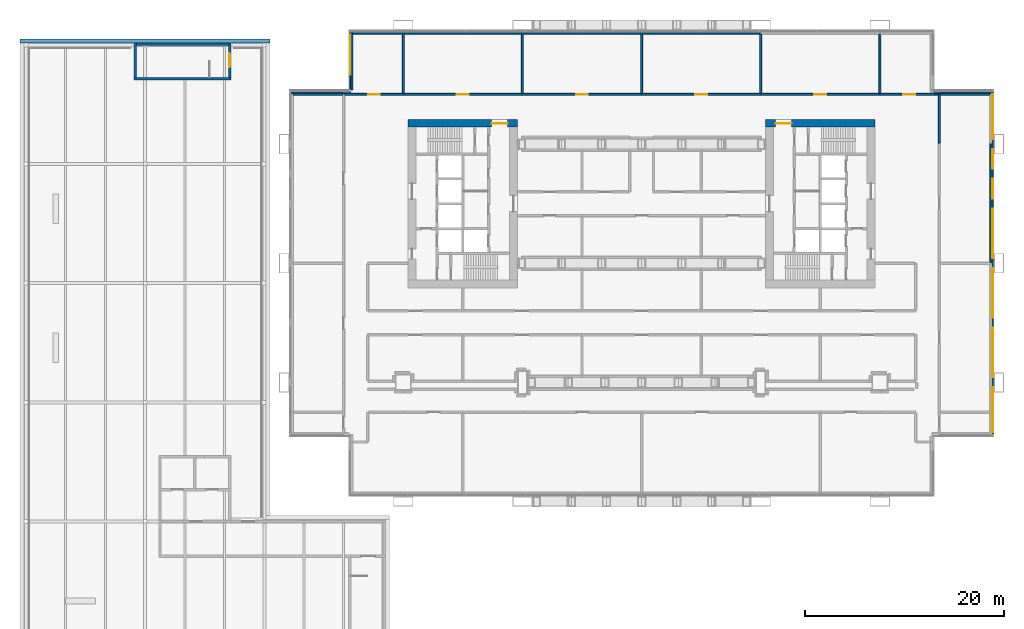
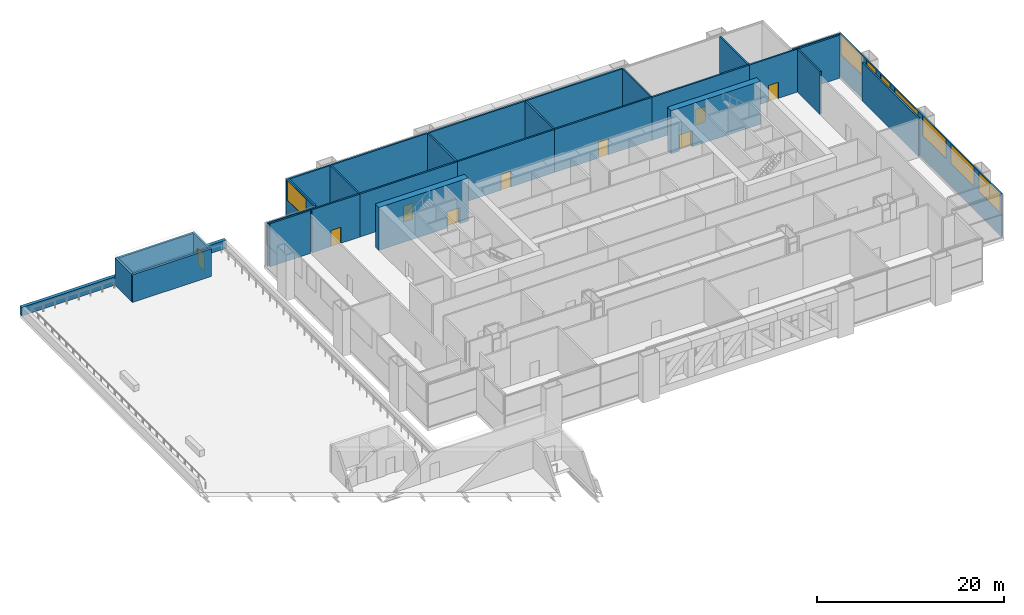
# One storey, part 25 of 27: 31 walls, 9 doors, 8 windows, 17 openings.
"""IFC4 building model written with IfcOpenShell, lengths in metres."""

from ifc_helpers import new_model, si_unit, direction, frame, frame_2d, origin, place, context, subcontext, project, spatial, rectangle, extrude, material, layer, layer_set, type_object, element, fill, save


model = new_model("IFC4")

# Units and contexts
model_context = context("Model", 3, precision=1e-05, world=origin(), true_north=direction((0.0, 1.0)))
body_context = subcontext(model_context, "Body", "Model", "MODEL_VIEW")
ifc_project = project(units=[si_unit("LENGTHUNIT", "METRE"), si_unit("AREAUNIT", "SQUARE_METRE"), si_unit("VOLUMEUNIT", "CUBIC_METRE"), si_unit("PLANEANGLEUNIT", "RADIAN"), si_unit("MASSUNIT", "GRAM", prefix="KILO")], contexts=[model_context])

# Site, building, storey
site_placement = place(None, origin())
site = spatial("IfcSite", under=ifc_project, at=site_placement, CompositionType="ELEMENT")
building_placement = place(site_placement, origin())
building = spatial("IfcBuilding", under=site, at=building_placement, Name="Kitamizu Gate Tower and Museum", CompositionType="ELEMENT")
storey_placement = place(building_placement, frame((0.0, 0.0, 24.0)))
storey = spatial("IfcBuildingStorey", under=building, at=storey_placement, Name="L04", CompositionType="ELEMENT", Elevation=24.0)

# Wall, opening, door
ifc_material_1 = material(Name="Concrete Fc60", Category="concrete")
ifc_layer_1 = layer(ifc_material_1, 0.800048828125)
ifc_layer_set_1 = layer_set([ifc_layer_1], Name="Concrete Fc60")
wall_type_1 = type_object("IfcWallType", Name="Core wall 800", PredefinedType="SHEAR", material=ifc_layer_set_1)
wall_1_placement = place(storey_placement, frame((12.5, 38.10009765625, 0.0), z_axis=(0.0, 0.0, 1.0), x_axis=(1.0, 0.0, 0.0)))
wall_1 = element("IfcWall", 1, at=wall_1_placement, inside=storey, type_object=wall_type_1, Name="Core wall WN", PredefinedType="SHEAR", context=body_context, shape_type="SweptSolid", body=[
    extrude(rectangle(XDim=11.0, YDim=0.800048828125, at=frame_2d((5.5, 0.0))), origin(), (0.0, 0.0, 1.0), 5.60009765625),
])
opening_1_placement = place(wall_1_placement, frame((8.39990234375, 0.0, 0.0)))
opening_1 = element("IfcOpeningElement", 2, at=opening_1_placement, cuts=wall_1, Name="Opening L04-041", PredefinedType="OPENING", context=body_context, shape_type="SweptSolid", body=[
    extrude(rectangle(XDim=1.60009765625, YDim=2.10009765625, at=frame_2d((0.800048828125, 1.050048828125))), frame((0.0, 0.41015625, 0.0), z_axis=(0.0, -1.0, 0.0), x_axis=(1.0, 0.0, 0.0)), (0.0, 0.0, 1.0), 0.820068359375),
])
ifc_material_2 = material(Name="Timber door set", Category="wood")
door_type_1 = type_object("IfcDoorType", Name="Entrance door 1600", OperationType="DOUBLE_DOOR_SINGLE_SWING", PredefinedType="DOOR", material=ifc_material_2)
door_1_placement = place(opening_1_placement, origin())
door_1 = element("IfcDoor", 3, at=door_1_placement, inside=storey, type_object=door_type_1, Name="Lobby door L04-041", OperationType="DOUBLE_DOOR_SINGLE_SWING", OverallHeight=2.10009765625, OverallWidth=1.60009765625, PredefinedType="DOOR", context=body_context, shape_type="SweptSolid", body=[
    extrude(rectangle(XDim=1.60009765625, YDim=2.10009765625, at=frame_2d((0.800048828125, 1.050048828125))), frame((0.0, 0.02490234375, 0.0), z_axis=(0.0, -1.0, 0.0), x_axis=(1.0, 0.0, 0.0)), (0.0, 0.0, 1.0), 0.050048828125),
])
fill(opening_1, door_1)

wall_2_placement = place(storey_placement, frame((59.5, 38.10009765625, 0.0), z_axis=(0.0, 0.0, 1.0), x_axis=(-1.0, 0.0, 0.0)))
wall_2 = element("IfcWall", 4, at=wall_2_placement, inside=storey, type_object=wall_type_1, Name="Core wall EN", PredefinedType="SHEAR", context=body_context, shape_type="SweptSolid", body=[
    extrude(rectangle(XDim=11.0, YDim=0.800048828125, at=frame_2d((5.5, 0.0))), origin(), (0.0, 0.0, 1.0), 5.60009765625),
])
opening_2_placement = place(wall_2_placement, frame((8.39990234375, 0.0, 0.0)))
opening_2 = element("IfcOpeningElement", 5, at=opening_2_placement, cuts=wall_2, Name="Opening L04-052", PredefinedType="OPENING", context=body_context, shape_type="SweptSolid", body=[
    extrude(rectangle(XDim=1.60009765625, YDim=2.10009765625, at=frame_2d((0.800048828125, 1.050048828125))), frame((0.0, 0.41015625, 0.0), z_axis=(0.0, -1.0, 0.0), x_axis=(1.0, 0.0, 0.0)), (0.0, 0.0, 1.0), 0.820068359375),
])
door_2_placement = place(opening_2_placement, origin())
door_2 = element("IfcDoor", 6, at=door_2_placement, inside=storey, type_object=door_type_1, Name="Lobby door L04-052", OperationType="DOUBLE_DOOR_SINGLE_SWING", OverallHeight=2.10009765625, OverallWidth=1.60009765625, PredefinedType="DOOR", context=body_context, shape_type="SweptSolid", body=[
    extrude(rectangle(XDim=1.60009765625, YDim=2.10009765625, at=frame_2d((0.800048828125, 1.050048828125))), frame((0.0, 0.02490234375, 0.0), z_axis=(0.0, -1.0, 0.0), x_axis=(1.0, 0.0, 0.0)), (0.0, 0.0, 1.0), 0.050048828125),
])
fill(opening_2, door_2)

ifc_material_3 = material(Name="Concrete Fc30", Category="concrete")
ifc_layer_2 = layer(ifc_material_3, 0.25)
ifc_layer_set_2 = layer_set([ifc_layer_2], Name="Concrete Fc30")
wall_type_2 = type_object("IfcWallType", Name="Museum RC core wall 250", PredefinedType="SHEAR", material=ifc_layer_set_2)
wall_3_placement = place(storey_placement, frame((-5.5, 42.72509765625, 0.0), z_axis=(0.0, 0.0, 1.0), x_axis=(0.0, 1.0, 0.0)))
wall_3 = element("IfcWall", 7, at=wall_3_placement, inside=storey, type_object=wall_type_2, Name="Head-house wall 15.1", PredefinedType="SHEAR", context=body_context, shape_type="SweptSolid", body=[
    extrude(rectangle(XDim=3.474853515625, YDim=0.25, at=frame_2d((1.7373046875, 0.0))), origin(), (0.0, 0.0, 1.0), 3.60009765625),
])
opening_3_placement = place(wall_3_placement, frame((1.0380859375, 0.0, 0.0)))
opening_3 = element("IfcOpeningElement", 8, at=opening_3_placement, cuts=wall_3, Name="Opening MUS-L04-002", PredefinedType="OPENING", context=body_context, shape_type="SweptSolid", body=[
    extrude(rectangle(XDim=1.39990234375, YDim=2.10009765625, at=frame_2d((0.699951171875, 1.050048828125))), frame((0.0, 0.135009765625, 0.0), z_axis=(0.0, -1.0, 0.0), x_axis=(1.0, 0.0, 0.0)), (0.0, 0.0, 1.0), 0.27001953125),
])
ifc_material_4 = material(Name="Timber leaf in hollow metal frame", Category="wood")
door_type_2 = type_object("IfcDoorType", Name="Museum roof access door 1400x2100 FD60", OperationType="DOUBLE_DOOR_SINGLE_SWING", PredefinedType="DOOR", material=ifc_material_4)
door_3_placement = place(opening_3_placement, origin())
door_3 = element("IfcDoor", 9, at=door_3_placement, inside=storey, type_object=door_type_2, Name="Roof access door", OperationType="DOUBLE_DOOR_SINGLE_SWING", OverallHeight=2.10009765625, OverallWidth=1.39990234375, PredefinedType="DOOR", context=body_context, shape_type="SweptSolid", body=[
    extrude(rectangle(XDim=1.39990234375, YDim=2.10009765625, at=frame_2d((0.699951171875, 1.050048828125))), frame((0.0, 0.02490234375, 0.0), z_axis=(0.0, -1.0, 0.0), x_axis=(1.0, 0.0, 0.0)), (0.0, 0.0, 1.0), 0.050048828125),
])
fill(opening_3, door_3)

# Walls
wall_4_placement = place(storey_placement, frame((-15.125, 42.60009765625, 0.0), z_axis=(0.0, 0.0, 1.0), x_axis=(1.0, 0.0, 0.0)))
element("IfcWall", 10, at=wall_4_placement, inside=storey, type_object=wall_type_2, Name="Head-house wall 33.1", PredefinedType="SHEAR", context=body_context, shape_type="SweptSolid", body=[
    extrude(rectangle(XDim=9.75, YDim=0.25, at=frame_2d((4.875, 0.0))), origin(), (0.0, 0.0, 1.0), 3.60009765625),
])
wall_5_placement = place(storey_placement, frame((-15.0, 42.72509765625, 0.0), z_axis=(0.0, 0.0, 1.0), x_axis=(0.0, 1.0, 0.0)))
element("IfcWall", 11, at=wall_5_placement, inside=storey, type_object=wall_type_2, Name="Head-house wall 34.1", PredefinedType="SHEAR", context=body_context, shape_type="SweptSolid", body=[
    extrude(rectangle(XDim=3.474853515625, YDim=0.25, at=frame_2d((1.7373046875, 0.0))), origin(), (0.0, 0.0, 1.0), 3.60009765625),
])
ifc_material_5 = material(Name="Concrete Fc30", Category="concrete")
ifc_layer_3 = layer(ifc_material_5, 0.25)
ifc_layer_set_3 = layer_set([ifc_layer_3], Name="Concrete Fc30")
wall_type_3 = type_object("IfcWallType", Name="Museum RC head house wall 250", PredefinedType="SHEAR", material=ifc_layer_set_3)
wall_6_placement = place(storey_placement, frame((-14.875, 46.074951171875, 0.0), z_axis=(0.0, 0.0, 1.0), x_axis=(1.0, 0.0, 0.0)))
element("IfcWall", 12, at=wall_6_placement, inside=storey, type_object=wall_type_3, Name="Head-house wall N.1", PredefinedType="SHEAR", context=body_context, shape_type="SweptSolid", body=[
    extrude(rectangle(XDim=9.25, YDim=0.25, at=frame_2d((4.625, 0.0))), origin(), (0.0, 0.0, 1.0), 3.60009765625),
])
ifc_material_6 = material(Name="Concrete Fc30 precast", Category="concrete")
ifc_layer_4 = layer(ifc_material_6, 0.39990234375)
ifc_layer_set_4 = layer_set([ifc_layer_4], Name="Concrete Fc30 precast")
wall_type_4 = type_object("IfcWallType", Name="Museum parapet 400", PredefinedType="PARAPET", material=ifc_layer_set_4)
wall_7_placement = place(storey_placement, frame((-26.60009765625, 46.39990234375, 0.0), z_axis=(0.0, 0.0, 1.0), x_axis=(1.0, 0.0, 0.0)))
element("IfcWall", 13, at=wall_7_placement, inside=storey, type_object=wall_type_4, Name="Parapet 9", PredefinedType="PARAPET", context=body_context, shape_type="SweptSolid", body=[
    extrude(rectangle(XDim=25.2001953125, YDim=0.39990234375, at=frame_2d((12.60009765625, 0.0))), origin(), (0.0, 0.0, 1.0), 1.10009765625),
])
ifc_material_7 = material(Name="Gypsum board on galvanised stud")
ifc_layer_5 = layer(ifc_material_7, 0.199951171875)
ifc_layer_set_5 = layer_set([ifc_layer_5], Name="Gypsum board on galvanised stud")
wall_type_5 = type_object("IfcWallType", Name="Partition 200", PredefinedType="PARTITIONING", material=ifc_layer_set_5)
wall_8_placement = place(storey_placement, frame((66.0, 36.10009765625, 0.0), z_axis=(0.0, 0.0, 1.0), x_axis=(0.0, 1.0, 0.0)))
element("IfcWall", 14, at=wall_8_placement, inside=storey, type_object=wall_type_5, Name="Partition L04-006", PredefinedType="PARTITIONING", context=body_context, shape_type="SweptSolid", body=[
    extrude(rectangle(XDim=4.89990234375, YDim=0.199951171875, at=frame_2d((2.449951171875, 0.0))), origin(), (0.0, 0.0, 1.0), 5.60009765625),
])

# Wall, opening, door
wall_9_placement = place(storey_placement, frame((12.0, 41.0, 0.0), z_axis=(0.0, 0.0, 1.0), x_axis=(-1.0, 0.0, 0.0)))
wall_9 = element("IfcWall", 15, at=wall_9_placement, inside=storey, type_object=wall_type_5, Name="Partition L04-037", PredefinedType="PARTITIONING", context=body_context, shape_type="SweptSolid", body=[
    extrude(rectangle(XDim=5.89990234375, YDim=0.199951171875, at=frame_2d((2.949951171875, 0.0))), origin(), (0.0, 0.0, 1.0), 5.60009765625),
])
opening_4_placement = place(wall_9_placement, frame((2.35009765625, 0.0, 0.0)))
opening_4 = element("IfcOpeningElement", 16, at=opening_4_placement, cuts=wall_9, Name="Opening L04-028", PredefinedType="OPENING", context=body_context, shape_type="SweptSolid", body=[
    extrude(rectangle(XDim=1.199951171875, YDim=2.10009765625, at=frame_2d((0.60009765625, 1.050048828125))), frame((0.0, 0.10986328125, 0.0), z_axis=(0.0, -1.0, 0.0), x_axis=(1.0, 0.0, 0.0)), (0.0, 0.0, 1.0), 0.219970703125),
])
ifc_material_8 = material(Name="Timber door set", Category="wood")
door_type_3 = type_object("IfcDoorType", Name="Plant room door 1200", OperationType="DOUBLE_DOOR_SINGLE_SWING", PredefinedType="DOOR", material=ifc_material_8)
door_4_placement = place(opening_4_placement, origin())
door_4 = element("IfcDoor", 17, at=door_4_placement, inside=storey, type_object=door_type_3, Name="Plant room door L04-028", OperationType="DOUBLE_DOOR_SINGLE_SWING", OverallHeight=2.10009765625, OverallWidth=1.199951171875, PredefinedType="DOOR", context=body_context, shape_type="SweptSolid", body=[
    extrude(rectangle(XDim=1.199951171875, YDim=2.10009765625, at=frame_2d((0.60009765625, 1.050048828125))), frame((0.0, 0.02490234375, 0.0), z_axis=(0.0, -1.0, 0.0), x_axis=(1.0, 0.0, 0.0)), (0.0, 0.0, 1.0), 0.050048828125),
])
fill(opening_4, door_4)

wall_10_placement = place(storey_placement, frame((24.0, 41.0, 0.0), z_axis=(0.0, 0.0, 1.0), x_axis=(-1.0, 0.0, 0.0)))
wall_10 = element("IfcWall", 18, at=wall_10_placement, inside=storey, type_object=wall_type_5, Name="Partition L04-038", PredefinedType="PARTITIONING", context=body_context, shape_type="SweptSolid", body=[
    extrude(rectangle(XDim=12.0, YDim=0.199951171875, at=frame_2d((6.0, 0.0))), origin(), (0.0, 0.0, 1.0), 5.60009765625),
])
opening_5_placement = place(wall_10_placement, frame((5.39990234375, 0.0, 0.0)))
opening_5 = element("IfcOpeningElement", 19, at=opening_5_placement, cuts=wall_10, Name="Opening L04-029", PredefinedType="OPENING", context=body_context, shape_type="SweptSolid", body=[
    extrude(rectangle(XDim=1.199951171875, YDim=2.10009765625, at=frame_2d((0.60009765625, 1.050048828125))), frame((0.0, 0.10986328125, 0.0), z_axis=(0.0, -1.0, 0.0), x_axis=(1.0, 0.0, 0.0)), (0.0, 0.0, 1.0), 0.219970703125),
])
door_5_placement = place(opening_5_placement, origin())
door_5 = element("IfcDoor", 20, at=door_5_placement, inside=storey, type_object=door_type_3, Name="Plant room door L04-029", OperationType="DOUBLE_DOOR_SINGLE_SWING", OverallHeight=2.10009765625, OverallWidth=1.199951171875, PredefinedType="DOOR", context=body_context, shape_type="SweptSolid", body=[
    extrude(rectangle(XDim=1.199951171875, YDim=2.10009765625, at=frame_2d((0.60009765625, 1.050048828125))), frame((0.0, 0.02490234375, 0.0), z_axis=(0.0, -1.0, 0.0), x_axis=(1.0, 0.0, 0.0)), (0.0, 0.0, 1.0), 0.050048828125),
])
fill(opening_5, door_5)

wall_11_placement = place(storey_placement, frame((36.0, 41.0, 0.0), z_axis=(0.0, 0.0, 1.0), x_axis=(-1.0, 0.0, 0.0)))
wall_11 = element("IfcWall", 21, at=wall_11_placement, inside=storey, type_object=wall_type_5, Name="Partition L04-039", PredefinedType="PARTITIONING", context=body_context, shape_type="SweptSolid", body=[
    extrude(rectangle(XDim=12.0, YDim=0.199951171875, at=frame_2d((6.0, 0.0))), origin(), (0.0, 0.0, 1.0), 5.60009765625),
])
opening_6_placement = place(wall_11_placement, frame((5.39990234375, 0.0, 0.0)))
opening_6 = element("IfcOpeningElement", 22, at=opening_6_placement, cuts=wall_11, Name="Opening L04-030", PredefinedType="OPENING", context=body_context, shape_type="SweptSolid", body=[
    extrude(rectangle(XDim=1.199951171875, YDim=2.10009765625, at=frame_2d((0.60009765625, 1.050048828125))), frame((0.0, 0.10986328125, 0.0), z_axis=(0.0, -1.0, 0.0), x_axis=(1.0, 0.0, 0.0)), (0.0, 0.0, 1.0), 0.219970703125),
])
door_6_placement = place(opening_6_placement, origin())
door_6 = element("IfcDoor", 23, at=door_6_placement, inside=storey, type_object=door_type_3, Name="Plant room door L04-030", OperationType="DOUBLE_DOOR_SINGLE_SWING", OverallHeight=2.10009765625, OverallWidth=1.199951171875, PredefinedType="DOOR", context=body_context, shape_type="SweptSolid", body=[
    extrude(rectangle(XDim=1.199951171875, YDim=2.10009765625, at=frame_2d((0.60009765625, 1.050048828125))), frame((0.0, 0.02490234375, 0.0), z_axis=(0.0, -1.0, 0.0), x_axis=(1.0, 0.0, 0.0)), (0.0, 0.0, 1.0), 0.050048828125),
])
fill(opening_6, door_6)

wall_12_placement = place(storey_placement, frame((48.0, 41.0, 0.0), z_axis=(0.0, 0.0, 1.0), x_axis=(-1.0, 0.0, 0.0)))
wall_12 = element("IfcWall", 24, at=wall_12_placement, inside=storey, type_object=wall_type_5, Name="Partition L04-040", PredefinedType="PARTITIONING", context=body_context, shape_type="SweptSolid", body=[
    extrude(rectangle(XDim=12.0, YDim=0.199951171875, at=frame_2d((6.0, 0.0))), origin(), (0.0, 0.0, 1.0), 5.60009765625),
])
opening_7_placement = place(wall_12_placement, frame((5.39990234375, 0.0, 0.0)))
opening_7 = element("IfcOpeningElement", 25, at=opening_7_placement, cuts=wall_12, Name="Opening L04-031", PredefinedType="OPENING", context=body_context, shape_type="SweptSolid", body=[
    extrude(rectangle(XDim=1.199951171875, YDim=2.10009765625, at=frame_2d((0.60009765625, 1.050048828125))), frame((0.0, 0.10986328125, 0.0), z_axis=(0.0, -1.0, 0.0), x_axis=(1.0, 0.0, 0.0)), (0.0, 0.0, 1.0), 0.219970703125),
])
door_7_placement = place(opening_7_placement, origin())
door_7 = element("IfcDoor", 26, at=door_7_placement, inside=storey, type_object=door_type_3, Name="Plant room door L04-031", OperationType="DOUBLE_DOOR_SINGLE_SWING", OverallHeight=2.10009765625, OverallWidth=1.199951171875, PredefinedType="DOOR", context=body_context, shape_type="SweptSolid", body=[
    extrude(rectangle(XDim=1.199951171875, YDim=2.10009765625, at=frame_2d((0.60009765625, 1.050048828125))), frame((0.0, 0.02490234375, 0.0), z_axis=(0.0, -1.0, 0.0), x_axis=(1.0, 0.0, 0.0)), (0.0, 0.0, 1.0), 0.050048828125),
])
fill(opening_7, door_7)

wall_13_placement = place(storey_placement, frame((60.0, 41.0, 0.0), z_axis=(0.0, 0.0, 1.0), x_axis=(-1.0, 0.0, 0.0)))
wall_13 = element("IfcWall", 27, at=wall_13_placement, inside=storey, type_object=wall_type_5, Name="Partition L04-041", PredefinedType="PARTITIONING", context=body_context, shape_type="SweptSolid", body=[
    extrude(rectangle(XDim=12.0, YDim=0.199951171875, at=frame_2d((6.0, 0.0))), origin(), (0.0, 0.0, 1.0), 5.60009765625),
])
opening_8_placement = place(wall_13_placement, frame((5.39990234375, 0.0, 0.0)))
opening_8 = element("IfcOpeningElement", 28, at=opening_8_placement, cuts=wall_13, Name="Opening L04-032", PredefinedType="OPENING", context=body_context, shape_type="SweptSolid", body=[
    extrude(rectangle(XDim=1.199951171875, YDim=2.10009765625, at=frame_2d((0.60009765625, 1.050048828125))), frame((0.0, 0.10986328125, 0.0), z_axis=(0.0, -1.0, 0.0), x_axis=(1.0, 0.0, 0.0)), (0.0, 0.0, 1.0), 0.219970703125),
])
door_8_placement = place(opening_8_placement, origin())
door_8 = element("IfcDoor", 29, at=door_8_placement, inside=storey, type_object=door_type_3, Name="Plant room door L04-032", OperationType="DOUBLE_DOOR_SINGLE_SWING", OverallHeight=2.10009765625, OverallWidth=1.199951171875, PredefinedType="DOOR", context=body_context, shape_type="SweptSolid", body=[
    extrude(rectangle(XDim=1.199951171875, YDim=2.10009765625, at=frame_2d((0.60009765625, 1.050048828125))), frame((0.0, 0.02490234375, 0.0), z_axis=(0.0, -1.0, 0.0), x_axis=(1.0, 0.0, 0.0)), (0.0, 0.0, 1.0), 0.050048828125),
])
fill(opening_8, door_8)

wall_14_placement = place(storey_placement, frame((65.89990234375, 41.0, 0.0), z_axis=(0.0, 0.0, 1.0), x_axis=(-1.0, 0.0, 0.0)))
wall_14 = element("IfcWall", 30, at=wall_14_placement, inside=storey, type_object=wall_type_5, Name="Partition L04-042", PredefinedType="PARTITIONING", context=body_context, shape_type="SweptSolid", body=[
    extrude(rectangle(XDim=5.89990234375, YDim=0.199951171875, at=frame_2d((2.949951171875, 0.0))), origin(), (0.0, 0.0, 1.0), 5.60009765625),
])
opening_9_placement = place(wall_14_placement, frame((2.35009765625, 0.0, 0.0)))
opening_9 = element("IfcOpeningElement", 31, at=opening_9_placement, cuts=wall_14, Name="Opening L04-033", PredefinedType="OPENING", context=body_context, shape_type="SweptSolid", body=[
    extrude(rectangle(XDim=1.199951171875, YDim=2.10009765625, at=frame_2d((0.60009765625, 1.050048828125))), frame((0.0, 0.10986328125, 0.0), z_axis=(0.0, -1.0, 0.0), x_axis=(1.0, 0.0, 0.0)), (0.0, 0.0, 1.0), 0.219970703125),
])
door_9_placement = place(opening_9_placement, origin())
door_9 = element("IfcDoor", 32, at=door_9_placement, inside=storey, type_object=door_type_3, Name="Plant room door L04-033", OperationType="DOUBLE_DOOR_SINGLE_SWING", OverallHeight=2.10009765625, OverallWidth=1.199951171875, PredefinedType="DOOR", context=body_context, shape_type="SweptSolid", body=[
    extrude(rectangle(XDim=1.199951171875, YDim=2.10009765625, at=frame_2d((0.60009765625, 1.050048828125))), frame((0.0, 0.02490234375, 0.0), z_axis=(0.0, -1.0, 0.0), x_axis=(1.0, 0.0, 0.0)), (0.0, 0.0, 1.0), 0.050048828125),
])
fill(opening_9, door_9)

# Walls
for number, where, z_axis, x_axis, name in (
    (33, (5.89990234375, 41.0, 0.0), (0.0, 0.0, 1.0), (-1.0, 0.0, 0.0), "Partition L04-056"),
    (34, (71.080078125, 41.0, 0.0), (0.0, 0.0, 1.0), (-1.0, 0.0, 0.0), "Partition L04-057"),
):
    element("IfcWall", number, at=place(storey_placement, frame(where, z_axis=z_axis, x_axis=x_axis)), inside=storey, type_object=wall_type_5, Name=name, PredefinedType="PARTITIONING", context=body_context, shape_type="SweptSolid", body=[
        extrude(rectangle(XDim=4.97998046875, YDim=0.199951171875, at=frame_2d((2.489990234375, 0.0))), origin(), (0.0, 0.0, 1.0), 5.60009765625),
    ])
for number, where, z_axis, x_axis, name in (
    (35, (12.0, 41.10009765625, 0.0), (0.0, 0.0, 1.0), (0.0, 1.0, 0.0), "Partition L04-073"),
    (36, (24.0, 41.10009765625, 0.0), (0.0, 0.0, 1.0), (0.0, 1.0, 0.0), "Partition L04-074"),
    (37, (36.0, 41.10009765625, 0.0), (0.0, 0.0, 1.0), (0.0, 1.0, 0.0), "Partition L04-075"),
    (38, (48.0, 41.10009765625, 0.0), (0.0, 0.0, 1.0), (0.0, 1.0, 0.0), "Partition L04-076"),
    (39, (60.0, 41.10009765625, 0.0), (0.0, 0.0, 1.0), (0.0, 1.0, 0.0), "Partition L04-077"),
):
    element("IfcWall", number, at=place(storey_placement, frame(where, z_axis=z_axis, x_axis=x_axis)), inside=storey, type_object=wall_type_5, Name=name, PredefinedType="PARTITIONING", context=body_context, shape_type="SweptSolid", body=[
        extrude(rectangle(XDim=5.97998046875, YDim=0.199951171875, at=frame_2d((2.989990234375, 0.0))), origin(), (0.0, 0.0, 1.0), 5.60009765625),
    ])
wall_15_placement = place(storey_placement, frame((71.179931640625, 24.050048828125, 0.0), z_axis=(0.0, 0.0, 1.0), x_axis=(0.0, 1.0, 0.0)))
element("IfcWall", 40, at=wall_15_placement, inside=storey, type_object=wall_type_5, Name="Partition L04-078", PredefinedType="PARTITIONING", context=body_context, shape_type="SweptSolid", body=[
    extrude(rectangle(XDim=12.050048828125, YDim=0.199951171875, at=frame_2d((6.02490234375, 0.0))), origin(), (0.0, 0.0, 1.0), 5.0),
])
wall_16_placement = place(storey_placement, frame((11.949951171875, 47.179931640625, 0.0), z_axis=(0.0, 0.0, 1.0), x_axis=(-1.0, 0.0, 0.0)))
element("IfcWall", 41, at=wall_16_placement, inside=storey, type_object=wall_type_5, Name="Partition L04-078", PredefinedType="PARTITIONING", context=body_context, shape_type="SweptSolid", body=[
    extrude(rectangle(XDim=5.030029296875, YDim=0.199951171875, at=frame_2d((2.51513671875, 0.0))), origin(), (0.0, 0.0, 1.0), 5.60009765625),
])
wall_17_placement = place(storey_placement, frame((6.820068359375, 47.280029296875, 0.0), z_axis=(0.0, 0.0, 1.0), x_axis=(0.0, -1.0, 0.0)))
element("IfcWall", 42, at=wall_17_placement, inside=storey, type_object=wall_type_5, Name="Partition L04-078", PredefinedType="PARTITIONING", context=body_context, shape_type="SweptSolid", body=[
    extrude(rectangle(XDim=5.800048828125, YDim=0.199951171875, at=frame_2d((2.89990234375, 0.0))), origin(), (0.0, 0.0, 1.0), 5.60009765625),
])
wall_18_placement = place(storey_placement, frame((6.719970703125, 41.179931640625, 0.0), z_axis=(0.0, 0.0, 1.0), x_axis=(-1.0, 0.0, 0.0)))
element("IfcWall", 43, at=wall_18_placement, inside=storey, type_object=wall_type_5, Name="Partition L04-078", PredefinedType="PARTITIONING", context=body_context, shape_type="SweptSolid", body=[
    extrude(rectangle(XDim=6.0, YDim=0.199951171875, at=frame_2d((3.0, 0.0))), origin(), (0.0, 0.0, 1.0), 5.60009765625),
])
for number, where, z_axis, x_axis, name in (
    (44, (23.949951171875, 47.179931640625, 0.0), (0.0, 0.0, 1.0), (-1.0, 0.0, 0.0), "Partition L04-078"),
    (45, (35.949951171875, 47.179931640625, 0.0), (0.0, 0.0, 1.0), (-1.0, 0.0, 0.0), "Partition L04-078"),
    (46, (47.949951171875, 47.179931640625, 0.0), (0.0, 0.0, 1.0), (-1.0, 0.0, 0.0), "Partition L04-078"),
):
    element("IfcWall", number, at=place(storey_placement, frame(where, z_axis=z_axis, x_axis=x_axis)), inside=storey, type_object=wall_type_5, Name=name, PredefinedType="PARTITIONING", context=body_context, shape_type="SweptSolid", body=[
        extrude(rectangle(XDim=11.89990234375, YDim=0.199951171875, at=frame_2d((5.949951171875, 0.0))), origin(), (0.0, 0.0, 1.0), 5.60009765625),
    ])
wall_19_placement = place(storey_placement, frame((71.280029296875, 41.179931640625, 0.0), z_axis=(0.0, 0.0, 1.0), x_axis=(-1.0, 0.0, 0.0)))
element("IfcWall", 47, at=wall_19_placement, inside=storey, type_object=wall_type_5, Name="Partition L04-078", PredefinedType="PARTITIONING", context=body_context, shape_type="SweptSolid", body=[
    extrude(rectangle(XDim=5.800048828125, YDim=0.199951171875, at=frame_2d((2.89990234375, 0.0))), origin(), (0.0, 0.0, 1.0), 5.60009765625),
])

# Wall, openings, windows
ifc_material_9 = material(Name="Bronze anodised aluminium frame with insulated spandrel and tinted glass", Category="aluminium")
ifc_layer_6 = layer(ifc_material_9, 0.14990234375)
ifc_layer_set_6 = layer_set([ifc_layer_6], Name="Bronze anodised aluminium frame with insulated spandrel and tinted glass")
wall_type_6 = type_object("IfcWallType", Name="WINDOW WALL 150 BRONZE FRAME EI 60", PredefinedType="ELEMENTEDWALL", material=ifc_layer_set_6)
wall_20_placement = place(storey_placement, frame((71.364990234375, 6.7099609375, 0.0), z_axis=(0.0, 0.0, 1.0), x_axis=(0.0, 1.0, 0.0)))
wall_20 = element("IfcWall", 48, at=wall_20_placement, inside=storey, type_object=wall_type_6, Name="Window wall east L04", PredefinedType="ELEMENTEDWALL", context=body_context, shape_type="SweptSolid", body=[
    extrude(rectangle(XDim=34.580078125, YDim=0.14990234375, at=frame_2d((17.2900390625, 0.0))), origin(), (0.0, 0.0, 1.0), 5.60009765625),
])
opening_10_placement = place(wall_20_placement, frame((0.2900390625, 0.0, 3.0)))
opening_10 = element("IfcOpeningElement", 49, at=opening_10_placement, cuts=wall_20, Name="Opening W19", PredefinedType="OPENING", context=body_context, shape_type="SweptSolid", body=[
    extrude(rectangle(XDim=4.5, YDim=2.550048828125, at=frame_2d((2.25, 1.27490234375))), frame((0.0, 0.0849609375, 0.0), z_axis=(0.0, -1.0, 0.0), x_axis=(1.0, 0.0, 0.0)), (0.0, 0.0, 1.0), 0.169921875),
])
opening_11_placement = place(wall_20_placement, frame((5.7900390625, 0.0, 3.0)))
opening_11 = element("IfcOpeningElement", 50, at=opening_11_placement, cuts=wall_20, Name="Opening W5", PredefinedType="OPENING", context=body_context, shape_type="SweptSolid", body=[
    extrude(rectangle(XDim=5.0, YDim=2.550048828125, at=frame_2d((2.5, 1.27490234375))), frame((0.0, 0.0849609375, 0.0), z_axis=(0.0, -1.0, 0.0), x_axis=(1.0, 0.0, 0.0)), (0.0, 0.0, 1.0), 0.169921875),
])
opening_12_placement = place(wall_20_placement, frame((11.7900390625, 0.0, 3.0)))
opening_12 = element("IfcOpeningElement", 51, at=opening_12_placement, cuts=wall_20, Name="Opening W5", PredefinedType="OPENING", context=body_context, shape_type="SweptSolid", body=[
    extrude(rectangle(XDim=5.0, YDim=2.550048828125, at=frame_2d((2.5, 1.27490234375))), frame((0.0, 0.0849609375, 0.0), z_axis=(0.0, -1.0, 0.0), x_axis=(1.0, 0.0, 0.0)), (0.0, 0.0, 1.0), 0.169921875),
])
opening_13_placement = place(wall_20_placement, frame((17.7900390625, 0.0, 3.0)))
opening_13 = element("IfcOpeningElement", 52, at=opening_13_placement, cuts=wall_20, Name="Opening W5", PredefinedType="OPENING", context=body_context, shape_type="SweptSolid", body=[
    extrude(rectangle(XDim=5.0, YDim=2.550048828125, at=frame_2d((2.5, 1.27490234375))), frame((0.0, 0.0849609375, 0.0), z_axis=(0.0, -1.0, 0.0), x_axis=(1.0, 0.0, 0.0)), (0.0, 0.0, 1.0), 0.169921875),
])
opening_14_placement = place(wall_20_placement, frame((23.7900390625, 0.0, 3.0)))
opening_14 = element("IfcOpeningElement", 53, at=opening_14_placement, cuts=wall_20, Name="Opening W6", PredefinedType="OPENING", context=body_context, shape_type="SweptSolid", body=[
    extrude(rectangle(XDim=2.0, YDim=2.550048828125, at=frame_2d((1.0, 1.27490234375))), frame((0.0, 0.0849609375, 0.0), z_axis=(0.0, -1.0, 0.0), x_axis=(1.0, 0.0, 0.0)), (0.0, 0.0, 1.0), 0.169921875),
])
opening_15_placement = place(wall_20_placement, frame((26.7900390625, 0.0, 3.0)))
opening_15 = element("IfcOpeningElement", 54, at=opening_15_placement, cuts=wall_20, Name="Opening W6", PredefinedType="OPENING", context=body_context, shape_type="SweptSolid", body=[
    extrude(rectangle(XDim=2.0, YDim=2.550048828125, at=frame_2d((1.0, 1.27490234375))), frame((0.0, 0.0849609375, 0.0), z_axis=(0.0, -1.0, 0.0), x_axis=(1.0, 0.0, 0.0)), (0.0, 0.0, 1.0), 0.169921875),
])
opening_16_placement = place(wall_20_placement, frame((29.7900390625, 0.0, 3.0)))
opening_16 = element("IfcOpeningElement", 55, at=opening_16_placement, cuts=wall_20, Name="Opening W19", PredefinedType="OPENING", context=body_context, shape_type="SweptSolid", body=[
    extrude(rectangle(XDim=4.5, YDim=2.550048828125, at=frame_2d((2.25, 1.27490234375))), frame((0.0, 0.0849609375, 0.0), z_axis=(0.0, -1.0, 0.0), x_axis=(1.0, 0.0, 0.0)), (0.0, 0.0, 1.0), 0.169921875),
])
ifc_material_10 = material(Name="Bronze anodised aluminium frame, tinted triple glazing", Category="aluminium")
window_type_1 = type_object("IfcWindowType", Name="WINDOW 2000 x 2550 SILL 3000", PartitioningType="SINGLE_PANEL", PredefinedType="WINDOW", material=ifc_material_10)
window_1_placement = place(opening_14_placement, origin())
window_1 = element("IfcWindow", 56, at=window_1_placement, inside=storey, type_object=window_type_1, Name="Window W6 L04", OverallHeight=2.550048828125, OverallWidth=2.0, PartitioningType="SINGLE_PANEL", PredefinedType="WINDOW", context=body_context, shape_type="SweptSolid", body=[
    extrude(rectangle(XDim=2.0, YDim=2.550048828125, at=frame_2d((1.0, 1.27490234375))), frame((0.0, 0.030029296875, 0.0), z_axis=(0.0, -1.0, 0.0), x_axis=(1.0, 0.0, 0.0)), (0.0, 0.0, 1.0), 0.06005859375),
])
fill(opening_14, window_1)
window_2_placement = place(opening_15_placement, origin())
window_2 = element("IfcWindow", 57, at=window_2_placement, inside=storey, type_object=window_type_1, Name="Window W6 L04", OverallHeight=2.550048828125, OverallWidth=2.0, PartitioningType="SINGLE_PANEL", PredefinedType="WINDOW", context=body_context, shape_type="SweptSolid", body=[
    extrude(rectangle(XDim=2.0, YDim=2.550048828125, at=frame_2d((1.0, 1.27490234375))), frame((0.0, 0.030029296875, 0.0), z_axis=(0.0, -1.0, 0.0), x_axis=(1.0, 0.0, 0.0)), (0.0, 0.0, 1.0), 0.06005859375),
])
fill(opening_15, window_2)
ifc_material_11 = material(Name="Bronze anodised aluminium frame, tinted triple glazing", Category="aluminium")
window_type_2 = type_object("IfcWindowType", Name="WINDOW 4500 x 2550 SILL 3000", PartitioningType="SINGLE_PANEL", PredefinedType="WINDOW", material=ifc_material_11)
window_3_placement = place(opening_10_placement, origin())
window_3 = element("IfcWindow", 58, at=window_3_placement, inside=storey, type_object=window_type_2, Name="Window W19 L04", OverallHeight=2.550048828125, OverallWidth=4.5, PartitioningType="SINGLE_PANEL", PredefinedType="WINDOW", context=body_context, shape_type="SweptSolid", body=[
    extrude(rectangle(XDim=4.5, YDim=2.550048828125, at=frame_2d((2.25, 1.27490234375))), frame((0.0, 0.030029296875, 0.0), z_axis=(0.0, -1.0, 0.0), x_axis=(1.0, 0.0, 0.0)), (0.0, 0.0, 1.0), 0.06005859375),
])
fill(opening_10, window_3)
window_4_placement = place(opening_16_placement, origin())
window_4 = element("IfcWindow", 59, at=window_4_placement, inside=storey, type_object=window_type_2, Name="Window W19 L04", OverallHeight=2.550048828125, OverallWidth=4.5, PartitioningType="SINGLE_PANEL", PredefinedType="WINDOW", context=body_context, shape_type="SweptSolid", body=[
    extrude(rectangle(XDim=4.5, YDim=2.550048828125, at=frame_2d((2.25, 1.27490234375))), frame((0.0, 0.030029296875, 0.0), z_axis=(0.0, -1.0, 0.0), x_axis=(1.0, 0.0, 0.0)), (0.0, 0.0, 1.0), 0.06005859375),
])
fill(opening_16, window_4)
ifc_material_12 = material(Name="Bronze anodised aluminium frame, tinted triple glazing", Category="aluminium")
window_type_3 = type_object("IfcWindowType", Name="WINDOW 5000 x 2550 SILL 3000", PartitioningType="SINGLE_PANEL", PredefinedType="WINDOW", material=ifc_material_12)
window_5_placement = place(opening_11_placement, origin())
window_5 = element("IfcWindow", 60, at=window_5_placement, inside=storey, type_object=window_type_3, Name="Window W5 L04", OverallHeight=2.550048828125, OverallWidth=5.0, PartitioningType="SINGLE_PANEL", PredefinedType="WINDOW", context=body_context, shape_type="SweptSolid", body=[
    extrude(rectangle(XDim=5.0, YDim=2.550048828125, at=frame_2d((2.5, 1.27490234375))), frame((0.0, 0.030029296875, 0.0), z_axis=(0.0, -1.0, 0.0), x_axis=(1.0, 0.0, 0.0)), (0.0, 0.0, 1.0), 0.06005859375),
])
fill(opening_11, window_5)
window_6_placement = place(opening_12_placement, origin())
window_6 = element("IfcWindow", 61, at=window_6_placement, inside=storey, type_object=window_type_3, Name="Window W5 L04", OverallHeight=2.550048828125, OverallWidth=5.0, PartitioningType="SINGLE_PANEL", PredefinedType="WINDOW", context=body_context, shape_type="SweptSolid", body=[
    extrude(rectangle(XDim=5.0, YDim=2.550048828125, at=frame_2d((2.5, 1.27490234375))), frame((0.0, 0.030029296875, 0.0), z_axis=(0.0, -1.0, 0.0), x_axis=(1.0, 0.0, 0.0)), (0.0, 0.0, 1.0), 0.06005859375),
])
fill(opening_12, window_6)
window_7_placement = place(opening_13_placement, origin())
window_7 = element("IfcWindow", 62, at=window_7_placement, inside=storey, type_object=window_type_3, Name="Window W5 L04", OverallHeight=2.550048828125, OverallWidth=5.0, PartitioningType="SINGLE_PANEL", PredefinedType="WINDOW", context=body_context, shape_type="SweptSolid", body=[
    extrude(rectangle(XDim=5.0, YDim=2.550048828125, at=frame_2d((2.5, 1.27490234375))), frame((0.0, 0.030029296875, 0.0), z_axis=(0.0, -1.0, 0.0), x_axis=(1.0, 0.0, 0.0)), (0.0, 0.0, 1.0), 0.06005859375),
])
fill(opening_13, window_7)

# Wall, opening, window
wall_21_placement = place(storey_placement, frame((6.635009765625, 41.43994140625, 0.0), z_axis=(0.0, 0.0, 1.0), x_axis=(0.0, 1.0, 0.0)))
wall_21 = element("IfcWall", 63, at=wall_21_placement, inside=storey, type_object=wall_type_6, Name="Window wall west L04", PredefinedType="ELEMENTEDWALL", context=body_context, shape_type="SweptSolid", body=[
    extrude(rectangle(XDim=5.85009765625, YDim=0.14990234375, at=frame_2d((2.925048828125, 0.0))), origin(), (0.0, 0.0, 1.0), 5.60009765625),
])
opening_17_placement = place(wall_21_placement, frame((1.56005859375, 0.0, 3.0)))
opening_17 = element("IfcOpeningElement", 64, at=opening_17_placement, cuts=wall_21, Name="Opening W20", PredefinedType="OPENING", context=body_context, shape_type="SweptSolid", body=[
    extrude(rectangle(XDim=4.0, YDim=2.550048828125, at=frame_2d((2.0, 1.27490234375))), frame((0.0, 0.0849609375, 0.0), z_axis=(0.0, -1.0, 0.0), x_axis=(1.0, 0.0, 0.0)), (0.0, 0.0, 1.0), 0.169921875),
])
ifc_material_13 = material(Name="Bronze anodised aluminium frame, tinted triple glazing", Category="aluminium")
window_type_4 = type_object("IfcWindowType", Name="WINDOW 4000 x 2550 SILL 3000", PartitioningType="SINGLE_PANEL", PredefinedType="WINDOW", material=ifc_material_13)
window_8_placement = place(opening_17_placement, origin())
window_8 = element("IfcWindow", 65, at=window_8_placement, inside=storey, type_object=window_type_4, Name="Window W20 L04", OverallHeight=2.550048828125, OverallWidth=4.0, PartitioningType="SINGLE_PANEL", PredefinedType="WINDOW", context=body_context, shape_type="SweptSolid", body=[
    extrude(rectangle(XDim=4.0, YDim=2.550048828125, at=frame_2d((2.0, 1.27490234375))), frame((0.0, 0.030029296875, 0.0), z_axis=(0.0, -1.0, 0.0), x_axis=(1.0, 0.0, 0.0)), (0.0, 0.0, 1.0), 0.06005859375),
])
fill(opening_17, window_8)

save(model, "model.ifc")
